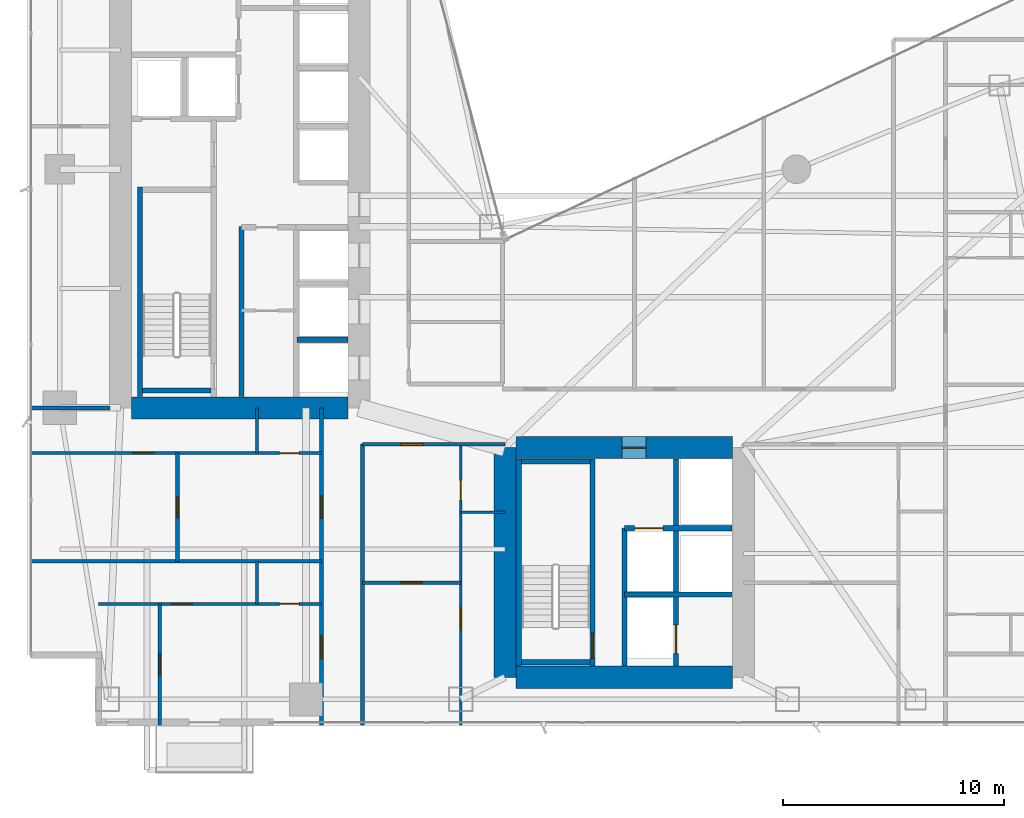
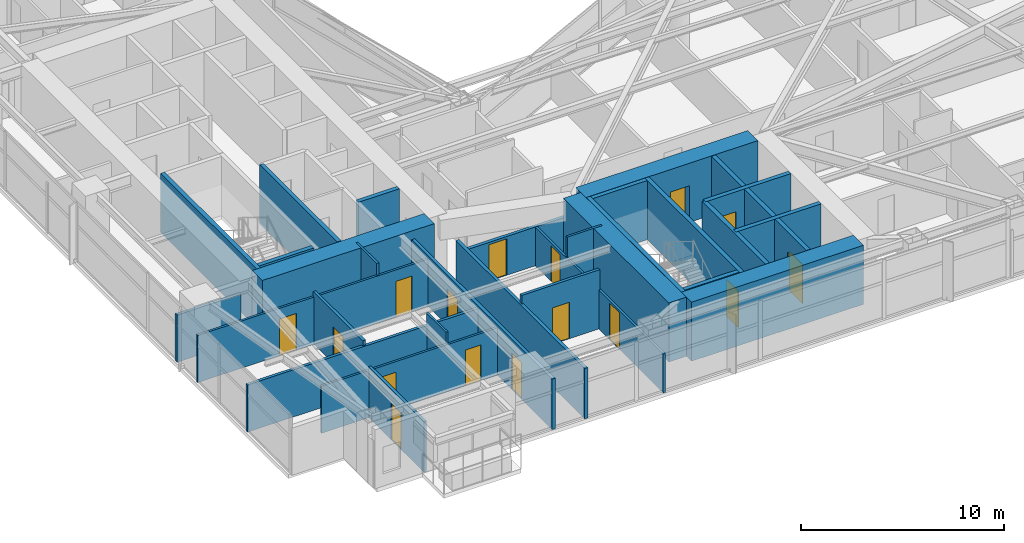
# One storey, part 22 of 29: 30 walls, 16 doors, 16 openings.
"""IFC4 building model written with IfcOpenShell, lengths in metres."""

from ifc_helpers import new_model, si_unit, direction, frame, frame_2d, origin, place, context, subcontext, project, spatial, rectangle, extrude, material, layer, layer_set, type_object, element, fill, save


model = new_model("IFC4")

# Units and contexts
model_context = context("Model", 3, precision=1e-05, world=origin(), true_north=direction((0.0, 1.0)))
body_context = subcontext(model_context, "Body", "Model", "MODEL_VIEW")
ifc_project = project(units=[si_unit("LENGTHUNIT", "METRE"), si_unit("AREAUNIT", "SQUARE_METRE"), si_unit("VOLUMEUNIT", "CUBIC_METRE"), si_unit("PLANEANGLEUNIT", "RADIAN"), si_unit("MASSUNIT", "GRAM", prefix="KILO")], contexts=[model_context])

# Site, building, storey
site_placement = place(None, origin())
site = spatial("IfcSite", under=ifc_project, at=site_placement, CompositionType="ELEMENT")
building_placement = place(site_placement, origin())
building = spatial("IfcBuilding", under=site, at=building_placement, Name="Calvorn Quay Hotel", CompositionType="ELEMENT")
storey_placement = place(building_placement, frame((0.0, 0.0, 62.199951171875)))
storey = spatial("IfcBuildingStorey", under=building, at=storey_placement, Name="L14", CompositionType="ELEMENT", Elevation=62.199951171875)

# Walls
ifc_material_1 = material(Name="Concrete C60", Category="concrete")
ifc_layer_1 = layer(ifc_material_1, 1.0)
ifc_layer_set_1 = layer_set([ifc_layer_1], Name="WL-CORE-1000")
wall_type_1 = type_object("IfcWallType", Name="WL-CORE-1000", PredefinedType="SHEAR", material=ifc_layer_set_1)
wall_1_placement = place(storey_placement, frame((4.699951171875, 16.800048828125, 0.0), z_axis=(0.0, 0.0, 1.0), x_axis=(1.0, 0.0, 0.0)))
element("IfcWall", 1, at=wall_1_placement, inside=storey, type_object=wall_type_1, Name="West Core Shear Wall S (L14)", PredefinedType="SHEAR", context=body_context, shape_type="SweptSolid", body=[
    extrude(rectangle(XDim=9.800048828125, YDim=1.0, at=frame_2d((4.89990234375, 0.0))), origin(), (0.0, 0.0, 1.0), 3.56005859375),
])
wall_2_placement = place(storey_placement, frame((21.60009765625, 4.60009765625, 0.0), z_axis=(0.0, 0.0, 1.0), x_axis=(0.0, 1.0, 0.0)))
element("IfcWall", 2, at=wall_2_placement, inside=storey, type_object=wall_type_1, Name="East Core Shear Wall W (L14)", PredefinedType="SHEAR", context=body_context, shape_type="SweptSolid", body=[
    extrude(rectangle(XDim=10.39990234375, YDim=1.0, at=frame_2d((5.199951171875, 0.0))), origin(), (0.0, 0.0, 1.0), 3.56005859375),
])

# Wall, opening, door
wall_3_placement = place(storey_placement, frame((22.10009765625, 15.0, 0.0), z_axis=(0.0, 0.0, 1.0), x_axis=(1.0, 0.0, 0.0)))
wall_3 = element("IfcWall", 3, at=wall_3_placement, inside=storey, type_object=wall_type_1, Name="East Core Shear Wall N (L14)", PredefinedType="SHEAR", context=body_context, shape_type="SweptSolid", body=[
    extrude(rectangle(XDim=9.7998046875, YDim=1.0, at=frame_2d((4.89990234375, 0.0))), origin(), (0.0, 0.0, 1.0), 3.56005859375),
])
opening_1_placement = place(wall_3_placement, frame((4.800048828125, 0.0, 0.0)))
opening_1 = element("IfcOpeningElement", 4, at=opening_1_placement, cuts=wall_3, Name="Opening D-L14-FLE", PredefinedType="OPENING", context=body_context, shape_type="SweptSolid", body=[
    extrude(rectangle(XDim=1.10009765625, YDim=2.199951171875, at=frame_2d((0.550048828125, 1.10009765625))), frame((0.0, 0.510009765625, 0.0), z_axis=(0.0, -1.0, 0.0), x_axis=(1.0, 0.0, 0.0)), (0.0, 0.0, 1.0), 1.02001953125),
])
ifc_material_2 = material(Name="Smoke-Sealed Steel Class A Fire Door", Category="steel")
door_type_1 = type_object("IfcDoorType", Name="DR-FFLOBBY-1100", OperationType="NOTDEFINED", PredefinedType="DOOR", material=ifc_material_2)
door_1_placement = place(opening_1_placement, origin())
door_1 = element("IfcDoor", 5, at=door_1_placement, inside=storey, type_object=door_type_1, Name="East Firefighting Lobby Fire Door (L14)", OperationType="SINGLE_SWING_RIGHT", OverallHeight=2.199951171875, OverallWidth=1.10009765625, PredefinedType="DOOR", context=body_context, shape_type="SweptSolid", body=[
    extrude(rectangle(XDim=1.10009765625, YDim=2.199951171875, at=frame_2d((0.550048828125, 1.10009765625))), frame((0.0, 0.02490234375, 0.0), z_axis=(0.0, -1.0, 0.0), x_axis=(1.0, 0.0, 0.0)), (0.0, 0.0, 1.0), 0.050048828125),
])
fill(opening_1, door_1)

# Walls
wall_4_placement = place(storey_placement, frame((22.10009765625, 4.60009765625, 0.0), z_axis=(0.0, 0.0, 1.0), x_axis=(1.0, 0.0, 0.0)))
element("IfcWall", 6, at=wall_4_placement, inside=storey, type_object=wall_type_1, Name="East Core Shear Wall S (L14)", PredefinedType="SHEAR", context=body_context, shape_type="SweptSolid", body=[
    extrude(rectangle(XDim=9.7998046875, YDim=1.0, at=frame_2d((4.89990234375, 0.0))), origin(), (0.0, 0.0, 1.0), 3.56005859375),
])
ifc_material_3 = material(Name="Acoustic Fireboard Steel-Stud Partition", Category="steel")
ifc_layer_2 = layer(ifc_material_3, 0.179931640625)
ifc_layer_set_2 = layer_set([ifc_layer_2], Name="WL-CORR-FIRE-180")
wall_type_2 = type_object("IfcWallType", Name="WL-CORR-FIRE-180", PredefinedType="PARTITIONING", material=ifc_layer_set_2)
wall_5_placement = place(storey_placement, frame((0.080078125, 16.800048828125, 0.0), z_axis=(0.0, 0.0, 1.0), x_axis=(1.0, 0.0, 0.0)))
element("IfcWall", 7, at=wall_5_placement, inside=storey, type_object=wall_type_2, Name="Partition Wall L14-WL-WBAY-S-WALL", PredefinedType="PARTITIONING", context=body_context, shape_type="SweptSolid", body=[
    extrude(rectangle(XDim=3.64990234375, YDim=0.179931640625, at=frame_2d((1.824951171875, 0.0))), origin(), (0.0, 0.0, 1.0), 2.840087890625),
])

# Wall, openings, doors
wall_6_placement = place(storey_placement, frame((13.300048828125, 2.43994140625, 0.0), z_axis=(0.0, 0.0, 1.0), x_axis=(0.0, 1.0, 0.0)))
wall_6 = element("IfcWall", 8, at=wall_6_placement, inside=storey, type_object=wall_type_2, Name="Partition Wall L14-WL-CORR-SW-LEG-W", PredefinedType="PARTITIONING", context=body_context, shape_type="SweptSolid", body=[
    extrude(rectangle(XDim=14.360107421875, YDim=0.179931640625, at=frame_2d((7.18017578125, 0.0))), origin(), (0.0, 0.0, 1.0), 3.0400390625),
])
opening_2_placement = place(wall_6_placement, frame((3.010009765625, 0.0, 0.0)))
opening_2 = element("IfcOpeningElement", 9, at=opening_2_placement, cuts=wall_6, Name="Opening D-L14-U01", PredefinedType="OPENING", context=body_context, shape_type="SweptSolid", body=[
    extrude(rectangle(XDim=1.02001953125, YDim=2.199951171875, at=frame_2d((0.510009765625, 1.10009765625))), frame((0.0, 0.099853515625, 0.0), z_axis=(0.0, -1.0, 0.0), x_axis=(1.0, 0.0, 0.0)), (0.0, 0.0, 1.0), 0.199951171875),
])
opening_3_placement = place(wall_6_placement, frame((9.35009765625, 0.0, 0.0)))
opening_3 = element("IfcOpeningElement", 10, at=opening_3_placement, cuts=wall_6, Name="Opening D-L14-U02", PredefinedType="OPENING", context=body_context, shape_type="SweptSolid", body=[
    extrude(rectangle(XDim=1.02001953125, YDim=2.199951171875, at=frame_2d((0.510009765625, 1.10009765625))), frame((0.0, 0.099853515625, 0.0), z_axis=(0.0, -1.0, 0.0), x_axis=(1.0, 0.0, 0.0)), (0.0, 0.0, 1.0), 0.199951171875),
])
ifc_material_4 = material(Name="Solid-Core Walnut Veneer Hotel Fire Door")
door_type_2 = type_object("IfcDoorType", Name="DR-GUEST-ENTRY-1020", OperationType="NOTDEFINED", PredefinedType="DOOR", material=ifc_material_4)
door_2_placement = place(opening_2_placement, origin())
door_2 = element("IfcDoor", 11, at=door_2_placement, inside=storey, type_object=door_type_2, Name="South-West Unit Door U01 (L14)", OperationType="SINGLE_SWING_LEFT", OverallHeight=2.199951171875, OverallWidth=1.02001953125, PredefinedType="DOOR", context=body_context, shape_type="SweptSolid", body=[
    extrude(rectangle(XDim=1.02001953125, YDim=2.199951171875, at=frame_2d((0.510009765625, 1.10009765625))), frame((0.0, 0.02490234375, 0.0), z_axis=(0.0, -1.0, 0.0), x_axis=(1.0, 0.0, 0.0)), (0.0, 0.0, 1.0), 0.050048828125),
])
fill(opening_2, door_2)
door_3_placement = place(opening_3_placement, origin())
door_3 = element("IfcDoor", 12, at=door_3_placement, inside=storey, type_object=door_type_2, Name="South-West Unit Door U02 (L14)", OperationType="SINGLE_SWING_RIGHT", OverallHeight=2.199951171875, OverallWidth=1.02001953125, PredefinedType="DOOR", context=body_context, shape_type="SweptSolid", body=[
    extrude(rectangle(XDim=1.02001953125, YDim=2.199951171875, at=frame_2d((0.510009765625, 1.10009765625))), frame((0.0, 0.02490234375, 0.0), z_axis=(0.0, -1.0, 0.0), x_axis=(1.0, 0.0, 0.0)), (0.0, 0.0, 1.0), 0.050048828125),
])
fill(opening_3, door_3)

# Wall
wall_7_placement = place(storey_placement, frame((15.14990234375, 2.43994140625, 0.0), z_axis=(0.0, 0.0, 1.0), x_axis=(0.0, 1.0, 0.0)))
element("IfcWall", 13, at=wall_7_placement, inside=storey, type_object=wall_type_2, Name="Partition Wall L14-WL-CORR-SW-W", PredefinedType="PARTITIONING", context=body_context, shape_type="SweptSolid", body=[
    extrude(rectangle(XDim=12.7099609375, YDim=0.179931640625, at=frame_2d((6.35498046875, 0.0))), origin(), (0.0, 0.0, 1.0), 3.0400390625),
])

# Wall, opening, door
wall_8_placement = place(storey_placement, frame((15.14990234375, 15.14990234375, 0.0), z_axis=(0.0, 0.0, 1.0), x_axis=(1.0, 0.0, 0.0)))
wall_8 = element("IfcWall", 14, at=wall_8_placement, inside=storey, type_object=wall_type_2, Name="Partition Wall L14-WL-SC-CORR-S", PredefinedType="PARTITIONING", context=body_context, shape_type="SweptSolid", body=[
    extrude(rectangle(XDim=6.4501953125, YDim=0.179931640625, at=frame_2d((3.22509765625, 0.0))), origin(), (0.0, 0.0, 1.0), 2.340087890625),
])
opening_4_placement = place(wall_8_placement, frame((1.739990234375, 0.0, 0.0)))
opening_4 = element("IfcOpeningElement", 15, at=opening_4_placement, cuts=wall_8, Name="Opening D-L14-U03", PredefinedType="OPENING", context=body_context, shape_type="SweptSolid", body=[
    extrude(rectangle(XDim=1.02001953125, YDim=2.199951171875, at=frame_2d((0.510009765625, 1.10009765625))), frame((0.0, 0.099853515625, 0.0), z_axis=(0.0, -1.0, 0.0), x_axis=(1.0, 0.0, 0.0)), (0.0, 0.0, 1.0), 0.199951171875),
])
door_4_placement = place(opening_4_placement, origin())
door_4 = element("IfcDoor", 16, at=door_4_placement, inside=storey, type_object=door_type_2, Name="Harbour Central Unit Door (L14)", OperationType="SINGLE_SWING_LEFT", OverallHeight=2.199951171875, OverallWidth=1.02001953125, PredefinedType="DOOR", context=body_context, shape_type="SweptSolid", body=[
    extrude(rectangle(XDim=1.02001953125, YDim=2.199951171875, at=frame_2d((0.510009765625, 1.10009765625))), frame((0.0, 0.02490234375, 0.0), z_axis=(0.0, -1.0, 0.0), x_axis=(1.0, 0.0, 0.0)), (0.0, 0.0, 1.0), 0.050048828125),
])
fill(opening_4, door_4)

# Wall
ifc_material_5 = material(Name="Moisture-Resistant Tile-Backed Partition")
ifc_layer_3 = layer(ifc_material_5, 0.125)
ifc_layer_set_3 = layer_set([ifc_layer_3], Name="WL-ENSUITE-125")
wall_type_3 = type_object("IfcWallType", Name="WL-ENSUITE-125", PredefinedType="PARTITIONING", material=ifc_layer_set_3)
wall_9_placement = place(storey_placement, frame((10.3798828125, 7.919921875, 0.0), z_axis=(0.0, 0.0, 1.0), x_axis=(0.0, 1.0, 0.0)))
element("IfcWall", 17, at=wall_9_placement, inside=storey, type_object=wall_type_3, Name="Partition Wall L14-WL-U01-BDV", PredefinedType="PARTITIONING", context=body_context, shape_type="SweptSolid", body=[
    extrude(rectangle(XDim=1.93017578125, YDim=0.125, at=frame_2d((0.965087890625, 0.0))), origin(), (0.0, 0.0, 1.0), 3.56005859375),
])

# Wall, openings, doors
wall_10_placement = place(storey_placement, frame((3.199951171875, 7.919921875, 0.0), z_axis=(0.0, 0.0, 1.0), x_axis=(1.0, 0.0, 0.0)))
wall_10 = element("IfcWall", 18, at=wall_10_placement, inside=storey, type_object=wall_type_3, Name="Partition Wall L14-WL-U01-BH", PredefinedType="PARTITIONING", context=body_context, shape_type="SweptSolid", body=[
    extrude(rectangle(XDim=10.10009765625, YDim=0.125, at=frame_2d((5.050048828125, 0.0))), origin(), (0.0, 0.0, 1.0), 2.840087890625),
])
opening_5_placement = place(wall_10_placement, frame((3.2900390625, 0.0, 0.0)))
opening_5 = element("IfcOpeningElement", 19, at=opening_5_placement, cuts=wall_10, Name="Opening D-L14-S01", PredefinedType="OPENING", context=body_context, shape_type="SweptSolid", body=[
    extrude(rectangle(XDim=0.9599609375, YDim=2.199951171875, at=frame_2d((0.47998046875, 1.10009765625))), frame((0.0, 0.072509765625, 0.0), z_axis=(0.0, -1.0, 0.0), x_axis=(1.0, 0.0, 0.0)), (0.0, 0.0, 1.0), 0.14501953125),
])
opening_6_placement = place(wall_10_placement, frame((8.18994140625, 0.0, 0.0)))
opening_6 = element("IfcOpeningElement", 20, at=opening_6_placement, cuts=wall_10, Name="Opening D-L14-E01", PredefinedType="OPENING", context=body_context, shape_type="SweptSolid", body=[
    extrude(rectangle(XDim=0.89990234375, YDim=2.14990234375, at=frame_2d((0.449951171875, 1.074951171875))), frame((0.0, 0.072509765625, 0.0), z_axis=(0.0, -1.0, 0.0), x_axis=(1.0, 0.0, 0.0)), (0.0, 0.0, 1.0), 0.14501953125),
])
ifc_material_6 = material(Name="Moisture-Sealed Timber En-Suite Door", Category="wood")
door_type_3 = type_object("IfcDoorType", Name="DR-ENSUITE-900", OperationType="NOTDEFINED", PredefinedType="DOOR", material=ifc_material_6)
door_5_placement = place(opening_6_placement, origin())
door_5 = element("IfcDoor", 21, at=door_5_placement, inside=storey, type_object=door_type_3, Name="En-Suite Door 01", OperationType="SINGLE_SWING_RIGHT", OverallHeight=2.14990234375, OverallWidth=0.89990234375, PredefinedType="DOOR", context=body_context, shape_type="SweptSolid", body=[
    extrude(rectangle(XDim=0.89990234375, YDim=2.14990234375, at=frame_2d((0.449951171875, 1.074951171875))), frame((0.0, 0.02490234375, 0.0), z_axis=(0.0, -1.0, 0.0), x_axis=(1.0, 0.0, 0.0)), (0.0, 0.0, 1.0), 0.050048828125),
])
fill(opening_6, door_5)
ifc_material_7 = material(Name="Solid Timber Internal Suite Door", Category="wood")
door_type_4 = type_object("IfcDoorType", Name="DR-SUITE-INT-960", OperationType="NOTDEFINED", PredefinedType="DOOR", material=ifc_material_7)
door_6_placement = place(opening_5_placement, origin())
door_6 = element("IfcDoor", 22, at=door_6_placement, inside=storey, type_object=door_type_4, Name="Private Executive Study Door 01", OperationType="SINGLE_SWING_LEFT", OverallHeight=2.199951171875, OverallWidth=0.9599609375, PredefinedType="DOOR", context=body_context, shape_type="SweptSolid", body=[
    extrude(rectangle(XDim=0.9599609375, YDim=2.199951171875, at=frame_2d((0.47998046875, 1.10009765625))), frame((0.0, 0.02490234375, 0.0), z_axis=(0.0, -1.0, 0.0), x_axis=(1.0, 0.0, 0.0)), (0.0, 0.0, 1.0), 0.050048828125),
])
fill(opening_5, door_6)

# Wall
wall_11_placement = place(storey_placement, frame((10.3798828125, 14.75, 0.0), z_axis=(0.0, 0.0, 1.0), x_axis=(0.0, 1.0, 0.0)))
element("IfcWall", 23, at=wall_11_placement, inside=storey, type_object=wall_type_3, Name="Partition Wall L14-WL-U02-BDV", PredefinedType="PARTITIONING", context=body_context, shape_type="SweptSolid", body=[
    extrude(rectangle(XDim=2.050048828125, YDim=0.125, at=frame_2d((1.02490234375, 0.0))), origin(), (0.0, 0.0, 1.0), 3.56005859375),
])

# Wall, openings, doors
wall_12_placement = place(storey_placement, frame((0.080078125, 14.75, 0.0), z_axis=(0.0, 0.0, 1.0), x_axis=(1.0, 0.0, 0.0)))
wall_12 = element("IfcWall", 24, at=wall_12_placement, inside=storey, type_object=wall_type_3, Name="Partition Wall L14-WL-U02-BH", PredefinedType="PARTITIONING", context=body_context, shape_type="SweptSolid", body=[
    extrude(rectangle(XDim=13.219970703125, YDim=0.125, at=frame_2d((6.60986328125, 0.0))), origin(), (0.0, 0.0, 1.0), 2.840087890625),
])
opening_7_placement = place(wall_12_placement, frame((4.669921875, 0.0, 0.0)))
opening_7 = element("IfcOpeningElement", 25, at=opening_7_placement, cuts=wall_12, Name="Opening D-L14-S02", PredefinedType="OPENING", context=body_context, shape_type="SweptSolid", body=[
    extrude(rectangle(XDim=0.9599609375, YDim=2.199951171875, at=frame_2d((0.47998046875, 1.10009765625))), frame((0.0, 0.072509765625, 0.0), z_axis=(0.0, -1.0, 0.0), x_axis=(1.0, 0.0, 0.0)), (0.0, 0.0, 1.0), 0.14501953125),
])
opening_8_placement = place(wall_12_placement, frame((11.31005859375, 0.0, 0.0)))
opening_8 = element("IfcOpeningElement", 26, at=opening_8_placement, cuts=wall_12, Name="Opening D-L14-E02", PredefinedType="OPENING", context=body_context, shape_type="SweptSolid", body=[
    extrude(rectangle(XDim=0.89990234375, YDim=2.14990234375, at=frame_2d((0.449951171875, 1.074951171875))), frame((0.0, 0.072509765625, 0.0), z_axis=(0.0, -1.0, 0.0), x_axis=(1.0, 0.0, 0.0)), (0.0, 0.0, 1.0), 0.14501953125),
])
door_7_placement = place(opening_8_placement, origin())
door_7 = element("IfcDoor", 27, at=door_7_placement, inside=storey, type_object=door_type_3, Name="En-Suite Door 02", OperationType="SINGLE_SWING_RIGHT", OverallHeight=2.14990234375, OverallWidth=0.89990234375, PredefinedType="DOOR", context=body_context, shape_type="SweptSolid", body=[
    extrude(rectangle(XDim=0.89990234375, YDim=2.14990234375, at=frame_2d((0.449951171875, 1.074951171875))), frame((0.0, 0.02490234375, 0.0), z_axis=(0.0, -1.0, 0.0), x_axis=(1.0, 0.0, 0.0)), (0.0, 0.0, 1.0), 0.050048828125),
])
fill(opening_8, door_7)
door_8_placement = place(opening_7_placement, origin())
door_8 = element("IfcDoor", 28, at=door_8_placement, inside=storey, type_object=door_type_4, Name="Private Executive Study Door 02", OperationType="SINGLE_SWING_LEFT", OverallHeight=2.199951171875, OverallWidth=0.9599609375, PredefinedType="DOOR", context=body_context, shape_type="SweptSolid", body=[
    extrude(rectangle(XDim=0.9599609375, YDim=2.199951171875, at=frame_2d((0.47998046875, 1.10009765625))), frame((0.0, 0.02490234375, 0.0), z_axis=(0.0, -1.0, 0.0), x_axis=(1.0, 0.0, 0.0)), (0.0, 0.0, 1.0), 0.050048828125),
])
fill(opening_7, door_8)

# Wall
wall_13_placement = place(storey_placement, frame((19.60009765625, 12.070068359375, 0.0), z_axis=(0.0, 0.0, 1.0), x_axis=(1.0, 0.0, 0.0)))
element("IfcWall", 29, at=wall_13_placement, inside=storey, type_object=wall_type_3, Name="Partition Wall L14-WL-U03-BDV", PredefinedType="PARTITIONING", context=body_context, shape_type="SweptSolid", body=[
    extrude(rectangle(XDim=2.0, YDim=0.125, at=frame_2d((1.0, 0.0))), origin(), (0.0, 0.0, 1.0), 3.56005859375),
])

# Wall, openings, doors
wall_14_placement = place(storey_placement, frame((19.60009765625, 2.43994140625, 0.0), z_axis=(0.0, 0.0, 1.0), x_axis=(0.0, 1.0, 0.0)))
wall_14 = element("IfcWall", 30, at=wall_14_placement, inside=storey, type_object=wall_type_3, Name="Partition Wall L14-WL-U03-BV", PredefinedType="PARTITIONING", context=body_context, shape_type="SweptSolid", body=[
    extrude(rectangle(XDim=12.7099609375, YDim=0.125, at=frame_2d((6.35498046875, 0.0))), origin(), (0.0, 0.0, 1.0), 2.340087890625),
])
opening_9_placement = place(wall_14_placement, frame((4.340087890625, 0.0, 0.0)))
opening_9 = element("IfcOpeningElement", 31, at=opening_9_placement, cuts=wall_14, Name="Opening D-L14-S03", PredefinedType="OPENING", context=body_context, shape_type="SweptSolid", body=[
    extrude(rectangle(XDim=0.9599609375, YDim=2.199951171875, at=frame_2d((0.47998046875, 1.10009765625))), frame((0.0, 0.072509765625, 0.0), z_axis=(0.0, -1.0, 0.0), x_axis=(1.0, 0.0, 0.0)), (0.0, 0.0, 1.0), 0.14501953125),
])
opening_10_placement = place(wall_14_placement, frame((10.179931640625, 0.0, 0.0)))
opening_10 = element("IfcOpeningElement", 32, at=opening_10_placement, cuts=wall_14, Name="Opening D-L14-E03", PredefinedType="OPENING", context=body_context, shape_type="SweptSolid", body=[
    extrude(rectangle(XDim=0.89990234375, YDim=2.14990234375, at=frame_2d((0.449951171875, 1.074951171875))), frame((0.0, 0.072509765625, 0.0), z_axis=(0.0, -1.0, 0.0), x_axis=(1.0, 0.0, 0.0)), (0.0, 0.0, 1.0), 0.14501953125),
])
door_9_placement = place(opening_10_placement, origin())
door_9 = element("IfcDoor", 33, at=door_9_placement, inside=storey, type_object=door_type_3, Name="En-Suite Door 03", OperationType="SINGLE_SWING_RIGHT", OverallHeight=2.14990234375, OverallWidth=0.89990234375, PredefinedType="DOOR", context=body_context, shape_type="SweptSolid", body=[
    extrude(rectangle(XDim=0.89990234375, YDim=2.14990234375, at=frame_2d((0.449951171875, 1.074951171875))), frame((0.0, 0.02490234375, 0.0), z_axis=(0.0, -1.0, 0.0), x_axis=(1.0, 0.0, 0.0)), (0.0, 0.0, 1.0), 0.050048828125),
])
fill(opening_10, door_9)
door_10_placement = place(opening_9_placement, origin())
door_10 = element("IfcDoor", 34, at=door_10_placement, inside=storey, type_object=door_type_4, Name="Private Executive Study Door 03", OperationType="SINGLE_SWING_LEFT", OverallHeight=2.199951171875, OverallWidth=0.9599609375, PredefinedType="DOOR", context=body_context, shape_type="SweptSolid", body=[
    extrude(rectangle(XDim=0.9599609375, YDim=2.199951171875, at=frame_2d((0.47998046875, 1.10009765625))), frame((0.0, 0.02490234375, 0.0), z_axis=(0.0, -1.0, 0.0), x_axis=(1.0, 0.0, 0.0)), (0.0, 0.0, 1.0), 0.050048828125),
])
fill(opening_9, door_10)

# Wall, opening, door
ifc_material_8 = material(Name="Double-Stud Acoustic Gypsum Partition")
ifc_layer_4 = layer(ifc_material_8, 0.159912109375)
ifc_layer_set_4 = layer_set([ifc_layer_4], Name="WL-INTERSUITE-160")
wall_type_4 = type_object("IfcWallType", Name="WL-INTERSUITE-160", PredefinedType="PARTITIONING", material=ifc_layer_set_4)
wall_15_placement = place(storey_placement, frame((5.97998046875, 2.43994140625, 0.0), z_axis=(0.0, 0.0, 1.0), x_axis=(0.0, 1.0, 0.0)))
wall_15 = element("IfcWall", 35, at=wall_15_placement, inside=storey, type_object=wall_type_4, Name="Partition Wall L14-WL-U01-MSP", PredefinedType="PARTITIONING", context=body_context, shape_type="SweptSolid", body=[
    extrude(rectangle(XDim=5.47998046875, YDim=0.159912109375, at=frame_2d((2.739990234375, 0.0))), origin(), (0.0, 0.0, 1.0), 3.0400390625),
])
opening_11_placement = place(wall_15_placement, frame((2.260009765625, 0.0, 0.0)))
opening_11 = element("IfcOpeningElement", 36, at=opening_11_placement, cuts=wall_15, Name="Opening D-L14-M01", PredefinedType="OPENING", context=body_context, shape_type="SweptSolid", body=[
    extrude(rectangle(XDim=0.9599609375, YDim=2.199951171875, at=frame_2d((0.47998046875, 1.10009765625))), frame((0.0, 0.08984375, 0.0), z_axis=(0.0, -1.0, 0.0), x_axis=(1.0, 0.0, 0.0)), (0.0, 0.0, 1.0), 0.179931640625),
])
door_11_placement = place(opening_11_placement, origin())
door_11 = element("IfcDoor", 37, at=door_11_placement, inside=storey, type_object=door_type_4, Name="Suite Bedroom Door 01", OperationType="SINGLE_SWING_LEFT", OverallHeight=2.199951171875, OverallWidth=0.9599609375, PredefinedType="DOOR", context=body_context, shape_type="SweptSolid", body=[
    extrude(rectangle(XDim=0.9599609375, YDim=2.199951171875, at=frame_2d((0.47998046875, 1.10009765625))), frame((0.0, 0.02490234375, 0.0), z_axis=(0.0, -1.0, 0.0), x_axis=(1.0, 0.0, 0.0)), (0.0, 0.0, 1.0), 0.050048828125),
])
fill(opening_11, door_11)

wall_16_placement = place(storey_placement, frame((6.780029296875, 9.85009765625, 0.0), z_axis=(0.0, 0.0, 1.0), x_axis=(0.0, 1.0, 0.0)))
wall_16 = element("IfcWall", 38, at=wall_16_placement, inside=storey, type_object=wall_type_4, Name="Partition Wall L14-WL-U02-MSP", PredefinedType="PARTITIONING", context=body_context, shape_type="SweptSolid", body=[
    extrude(rectangle(XDim=4.89990234375, YDim=0.159912109375, at=frame_2d((2.449951171875, 0.0))), origin(), (0.0, 0.0, 1.0), 3.14013671875),
])
opening_12_placement = place(wall_16_placement, frame((1.969970703125, 0.0, 0.0)))
opening_12 = element("IfcOpeningElement", 39, at=opening_12_placement, cuts=wall_16, Name="Opening D-L14-M02", PredefinedType="OPENING", context=body_context, shape_type="SweptSolid", body=[
    extrude(rectangle(XDim=0.9599609375, YDim=2.199951171875, at=frame_2d((0.47998046875, 1.10009765625))), frame((0.0, 0.08984375, 0.0), z_axis=(0.0, -1.0, 0.0), x_axis=(1.0, 0.0, 0.0)), (0.0, 0.0, 1.0), 0.179931640625),
])
door_12_placement = place(opening_12_placement, origin())
door_12 = element("IfcDoor", 40, at=door_12_placement, inside=storey, type_object=door_type_4, Name="Suite Bedroom Door 02", OperationType="SINGLE_SWING_LEFT", OverallHeight=2.199951171875, OverallWidth=0.9599609375, PredefinedType="DOOR", context=body_context, shape_type="SweptSolid", body=[
    extrude(rectangle(XDim=0.9599609375, YDim=2.199951171875, at=frame_2d((0.47998046875, 1.10009765625))), frame((0.0, 0.02490234375, 0.0), z_axis=(0.0, -1.0, 0.0), x_axis=(1.0, 0.0, 0.0)), (0.0, 0.0, 1.0), 0.050048828125),
])
fill(opening_12, door_12)

# Wall
wall_17_placement = place(storey_placement, frame((0.080078125, 9.85009765625, 0.0), z_axis=(0.0, 0.0, 1.0), x_axis=(1.0, 0.0, 0.0)))
element("IfcWall", 41, at=wall_17_placement, inside=storey, type_object=wall_type_4, Name="Partition Wall L14-WL-SW-DIV-1", PredefinedType="PARTITIONING", context=body_context, shape_type="SweptSolid", body=[
    extrude(rectangle(XDim=13.219970703125, YDim=0.159912109375, at=frame_2d((6.60986328125, 0.0))), origin(), (0.0, 0.0, 1.0), 2.840087890625),
])

# Wall, opening, door
wall_18_placement = place(storey_placement, frame((15.14990234375, 8.8701171875, 0.0), z_axis=(0.0, 0.0, 1.0), x_axis=(1.0, 0.0, 0.0)))
wall_18 = element("IfcWall", 42, at=wall_18_placement, inside=storey, type_object=wall_type_4, Name="Partition Wall L14-WL-U03-MSP", PredefinedType="PARTITIONING", context=body_context, shape_type="SweptSolid", body=[
    extrude(rectangle(XDim=4.4501953125, YDim=0.159912109375, at=frame_2d((2.22509765625, 0.0))), origin(), (0.0, 0.0, 1.0), 3.56005859375),
])
opening_13_placement = place(wall_18_placement, frame((1.75, 0.0, 0.0)))
opening_13 = element("IfcOpeningElement", 43, at=opening_13_placement, cuts=wall_18, Name="Opening D-L14-M03", PredefinedType="OPENING", context=body_context, shape_type="SweptSolid", body=[
    extrude(rectangle(XDim=0.9599609375, YDim=2.199951171875, at=frame_2d((0.47998046875, 1.10009765625))), frame((0.0, 0.08984375, 0.0), z_axis=(0.0, -1.0, 0.0), x_axis=(1.0, 0.0, 0.0)), (0.0, 0.0, 1.0), 0.179931640625),
])
door_13_placement = place(opening_13_placement, origin())
door_13 = element("IfcDoor", 44, at=door_13_placement, inside=storey, type_object=door_type_4, Name="Suite Bedroom Door 03", OperationType="SINGLE_SWING_LEFT", OverallHeight=2.199951171875, OverallWidth=0.9599609375, PredefinedType="DOOR", context=body_context, shape_type="SweptSolid", body=[
    extrude(rectangle(XDim=0.9599609375, YDim=2.199951171875, at=frame_2d((0.47998046875, 1.10009765625))), frame((0.0, 0.02490234375, 0.0), z_axis=(0.0, -1.0, 0.0), x_axis=(1.0, 0.0, 0.0)), (0.0, 0.0, 1.0), 0.050048828125),
])
fill(opening_13, door_13)

# Walls
ifc_material_9 = material(Name="Autoclaved Aerated Masonry Block", Category="masonry")
ifc_layer_5 = layer(ifc_material_9, 0.219970703125)
ifc_layer_set_5 = layer_set([ifc_layer_5], Name="WL-LOBBY-FIRE-220")
wall_type_5 = type_object("IfcWallType", Name="WL-LOBBY-FIRE-220", PredefinedType="SOLIDWALL", material=ifc_layer_set_5)
wall_19_placement = place(storey_placement, frame((9.679931640625, 17.320068359375, 0.0), z_axis=(0.0, 0.0, 1.0), x_axis=(0.0, 1.0, 0.0)))
element("IfcWall", 45, at=wall_19_placement, inside=storey, type_object=wall_type_5, Name="Partition Wall L14-WL-CWW-STW-HALL-E", PredefinedType="SOLIDWALL", context=body_context, shape_type="SweptSolid", body=[
    extrude(rectangle(XDim=7.679931640625, YDim=0.219970703125, at=frame_2d((3.83984375, 0.0))), origin(), (0.0, 0.0, 1.0), 3.56005859375),
])
ifc_material_10 = material(Name="Concrete C40", Category="concrete")
ifc_layer_6 = layer(ifc_material_10, 0.239990234375)
ifc_layer_set_6 = layer_set([ifc_layer_6], Name="WL-SHAFT-240")
wall_type_6 = type_object("IfcWallType", Name="WL-SHAFT-240", PredefinedType="SOLIDWALL", material=ifc_layer_set_6)
wall_20_placement = place(storey_placement, frame((5.080078125, 17.300048828125, 0.0), z_axis=(0.0, 0.0, 1.0), x_axis=(0.0, 1.0, 0.0)))
element("IfcWall", 46, at=wall_20_placement, inside=storey, type_object=wall_type_6, Name="Stair STW Shaft Wall W (L14)", PredefinedType="SOLIDWALL", context=body_context, shape_type="SweptSolid", body=[
    extrude(rectangle(XDim=9.489990234375, YDim=0.239990234375, at=frame_2d((4.7451171875, 0.0))), origin(), (0.0, 0.0, 1.0), 3.56005859375),
])
wall_21_placement = place(storey_placement, frame((5.199951171875, 17.580078125, 0.0), z_axis=(0.0, 0.0, 1.0), x_axis=(1.0, 0.0, 0.0)))
element("IfcWall", 47, at=wall_21_placement, inside=storey, type_object=wall_type_6, Name="Stair STW Shaft Wall S (L14)", PredefinedType="SOLIDWALL", context=body_context, shape_type="SweptSolid", body=[
    extrude(rectangle(XDim=3.10009765625, YDim=0.239990234375, at=frame_2d((1.550048828125, 0.0))), origin(), (0.0, 0.0, 1.0), 3.56005859375),
])
wall_22_placement = place(storey_placement, frame((22.22998046875, 5.10009765625, 0.0), z_axis=(0.0, 0.0, 1.0), x_axis=(0.0, 1.0, 0.0)))
element("IfcWall", 48, at=wall_22_placement, inside=storey, type_object=wall_type_6, Name="Stair STE Shaft Wall W (L14)", PredefinedType="SOLIDWALL", context=body_context, shape_type="SweptSolid", body=[
    extrude(rectangle(XDim=9.389892578125, YDim=0.239990234375, at=frame_2d((4.69482421875, 0.0))), origin(), (0.0, 0.0, 1.0), 3.56005859375),
])

# Wall, opening, door
wall_23_placement = place(storey_placement, frame((25.570068359375, 5.10009765625, 0.0), z_axis=(0.0, 0.0, 1.0), x_axis=(0.0, 1.0, 0.0)))
wall_23 = element("IfcWall", 49, at=wall_23_placement, inside=storey, type_object=wall_type_6, Name="Stair STE Shaft Wall E (L14)", PredefinedType="SOLIDWALL", context=body_context, shape_type="SweptSolid", body=[
    extrude(rectangle(XDim=9.389892578125, YDim=0.239990234375, at=frame_2d((4.69482421875, 0.0))), origin(), (0.0, 0.0, 1.0), 3.56005859375),
])
opening_14_placement = place(wall_23_placement, frame((0.35009765625, 0.0, 0.0)))
opening_14 = element("IfcOpeningElement", 50, at=opening_14_placement, cuts=wall_23, Name="Opening D-L14-STE", PredefinedType="OPENING", context=body_context, shape_type="SweptSolid", body=[
    extrude(rectangle(XDim=1.14990234375, YDim=2.199951171875, at=frame_2d((0.574951171875, 1.10009765625))), frame((0.0, 0.1298828125, 0.0), z_axis=(0.0, -1.0, 0.0), x_axis=(1.0, 0.0, 0.0)), (0.0, 0.0, 1.0), 0.260009765625),
])
ifc_material_11 = material(Name="Galvanised Steel Class A Fire Door", Category="steel")
door_type_5 = type_object("IfcDoorType", Name="DR-STAIR-SMOKE-1150", OperationType="NOTDEFINED", PredefinedType="DOOR", material=ifc_material_11)
door_14_placement = place(opening_14_placement, origin())
door_14 = element("IfcDoor", 51, at=door_14_placement, inside=storey, type_object=door_type_5, Name="Stair ST-E Fire Door (L14)", OperationType="SINGLE_SWING_RIGHT", OverallHeight=2.199951171875, OverallWidth=1.14990234375, PredefinedType="DOOR", context=body_context, shape_type="SweptSolid", body=[
    extrude(rectangle(XDim=1.14990234375, YDim=2.199951171875, at=frame_2d((0.574951171875, 1.10009765625))), frame((0.0, 0.02490234375, 0.0), z_axis=(0.0, -1.0, 0.0), x_axis=(1.0, 0.0, 0.0)), (0.0, 0.0, 1.0), 0.050048828125),
])
fill(opening_14, door_14)

# Walls
for number, where, z_axis, x_axis, name in (
    (52, (22.35009765625, 5.280029296875, 0.0), (0.0, 0.0, 1.0), (1.0, 0.0, 0.0), "Stair STE Shaft Wall S (L14)"),
    (53, (22.35009765625, 14.3701171875, 0.0), (0.0, 0.0, 1.0), (1.0, 0.0, 0.0), "Stair STE Shaft Wall N (L14)"),
):
    element("IfcWall", number, at=place(storey_placement, frame(where, z_axis=z_axis, x_axis=x_axis)), inside=storey, type_object=wall_type_6, Name=name, PredefinedType="SOLIDWALL", context=body_context, shape_type="SweptSolid", body=[
        extrude(rectangle(XDim=3.099853515625, YDim=0.239990234375, at=frame_2d((1.5498046875, 0.0))), origin(), (0.0, 0.0, 1.0), 3.56005859375),
    ])
wall_24_placement = place(storey_placement, frame((12.179931640625, 19.875, 0.0), z_axis=(0.0, 0.0, 1.0), x_axis=(1.0, 0.0, 0.0)))
element("IfcWall", 54, at=wall_24_placement, inside=storey, type_object=wall_type_6, Name="Lift Hoistway Divider Wall PLL12 (L14)", PredefinedType="SOLIDWALL", context=body_context, shape_type="SweptSolid", body=[
    extrude(rectangle(XDim=2.320068359375, YDim=0.239990234375, at=frame_2d((1.16015625, 0.0))), origin(), (0.0, 0.0, 1.0), 3.56005859375),
])
wall_25_placement = place(storey_placement, frame((27.02001953125, 5.1201171875, 0.0), z_axis=(0.0, 0.0, 1.0), x_axis=(0.0, 1.0, 0.0)))
element("IfcWall", 55, at=wall_25_placement, inside=storey, type_object=wall_type_6, Name="Partition Wall L14-WL-CWE-SH-W", PredefinedType="SOLIDWALL", context=body_context, shape_type="SweptSolid", body=[
    extrude(rectangle(XDim=6.22998046875, YDim=0.239990234375, at=frame_2d((3.114990234375, 0.0))), origin(), (0.0, 0.0, 1.0), 3.56005859375),
])

# Wall, opening, door
wall_26_placement = place(storey_placement, frame((27.02001953125, 11.35009765625, 0.0), z_axis=(0.0, 0.0, 1.0), x_axis=(1.0, 0.0, 0.0)))
wall_26 = element("IfcWall", 56, at=wall_26_placement, inside=storey, type_object=wall_type_6, Name="Partition Wall L14-WL-CWE-FFL-S", PredefinedType="SOLIDWALL", context=body_context, shape_type="SweptSolid", body=[
    extrude(rectangle(XDim=4.85986328125, YDim=0.239990234375, at=frame_2d((2.429931640625, 0.0))), origin(), (0.0, 0.0, 1.0), 3.56005859375),
])
opening_15_placement = place(wall_26_placement, frame((0.449951171875, 0.0, 0.0)))
opening_15 = element("IfcOpeningElement", 57, at=opening_15_placement, cuts=wall_26, Name="Opening LD-L14-FLE1", PredefinedType="OPENING", context=body_context, shape_type="SweptSolid", body=[
    extrude(rectangle(XDim=1.300048828125, YDim=2.35009765625, at=frame_2d((0.64990234375, 1.175048828125))), frame((0.0, 0.1298828125, 0.0), z_axis=(0.0, -1.0, 0.0), x_axis=(1.0, 0.0, 0.0)), (0.0, 0.0, 1.0), 0.260009765625),
])
ifc_material_12 = material(Name="Champagne-Bronze Sliding Express Lift Landing Door")
door_type_6 = type_object("IfcDoorType", Name="DR-LIFT-SHUTTLE-1300", OperationType="NOTDEFINED", PredefinedType="DOOR", material=ifc_material_12)
door_15_placement = place(opening_15_placement, origin())
door_15 = element("IfcDoor", 58, at=door_15_placement, inside=storey, type_object=door_type_6, Name="Firefighting Lift FL-E1 Landing Door (L14)", OperationType="DOUBLE_DOOR_SLIDING", OverallHeight=2.35009765625, OverallWidth=1.300048828125, PredefinedType="DOOR", context=body_context, shape_type="SweptSolid", body=[
    extrude(rectangle(XDim=1.300048828125, YDim=2.35009765625, at=frame_2d((0.64990234375, 1.175048828125))), frame((0.0, 0.02490234375, 0.0), z_axis=(0.0, -1.0, 0.0), x_axis=(1.0, 0.0, 0.0)), (0.0, 0.0, 1.0), 0.050048828125),
])
fill(opening_15, door_15)

# Wall
wall_27_placement = place(storey_placement, frame((27.02001953125, 8.35009765625, 0.0), z_axis=(0.0, 0.0, 1.0), x_axis=(1.0, 0.0, 0.0)))
element("IfcWall", 59, at=wall_27_placement, inside=storey, type_object=wall_type_6, Name="Partition Wall L14-WL-CWE-SL-N", PredefinedType="SOLIDWALL", context=body_context, shape_type="SweptSolid", body=[
    extrude(rectangle(XDim=4.85986328125, YDim=0.239990234375, at=frame_2d((2.429931640625, 0.0))), origin(), (0.0, 0.0, 1.0), 3.56005859375),
])

# Wall, opening, door
wall_28_placement = place(storey_placement, frame((29.35009765625, 5.1201171875, 0.0), z_axis=(0.0, 0.0, 1.0), x_axis=(0.0, 1.0, 0.0)))
wall_28 = element("IfcWall", 60, at=wall_28_placement, inside=storey, type_object=wall_type_6, Name="Partition Wall L14-WL-CWE-OB-W", PredefinedType="SOLIDWALL", context=body_context, shape_type="SweptSolid", body=[
    extrude(rectangle(XDim=9.35986328125, YDim=0.239990234375, at=frame_2d((4.679931640625, 0.0))), origin(), (0.0, 0.0, 1.0), 3.56005859375),
])
opening_16_placement = place(wall_28_placement, frame((0.550048828125, 0.0, 0.0)))
opening_16 = element("IfcOpeningElement", 61, at=opening_16_placement, cuts=wall_28, Name="Opening LD-L14-SLEI", PredefinedType="OPENING", context=body_context, shape_type="SweptSolid", body=[
    extrude(rectangle(XDim=1.300048828125, YDim=2.35009765625, at=frame_2d((0.64990234375, 1.175048828125))), frame((0.0, 0.1298828125, 0.0), z_axis=(0.0, -1.0, 0.0), x_axis=(1.0, 0.0, 0.0)), (0.0, 0.0, 1.0), 0.260009765625),
])
door_16_placement = place(opening_16_placement, origin())
door_16 = element("IfcDoor", 62, at=door_16_placement, inside=storey, type_object=door_type_6, Name="Service Lift SL-E1 Landing Door (L14)", OperationType="DOUBLE_DOOR_SLIDING", OverallHeight=2.35009765625, OverallWidth=1.300048828125, PredefinedType="DOOR", context=body_context, shape_type="SweptSolid", body=[
    extrude(rectangle(XDim=1.300048828125, YDim=2.35009765625, at=frame_2d((0.64990234375, 1.175048828125))), frame((0.0, 0.02490234375, 0.0), z_axis=(0.0, -1.0, 0.0), x_axis=(1.0, 0.0, 0.0)), (0.0, 0.0, 1.0), 0.050048828125),
])
fill(opening_16, door_16)

save(model, "model.ifc")
